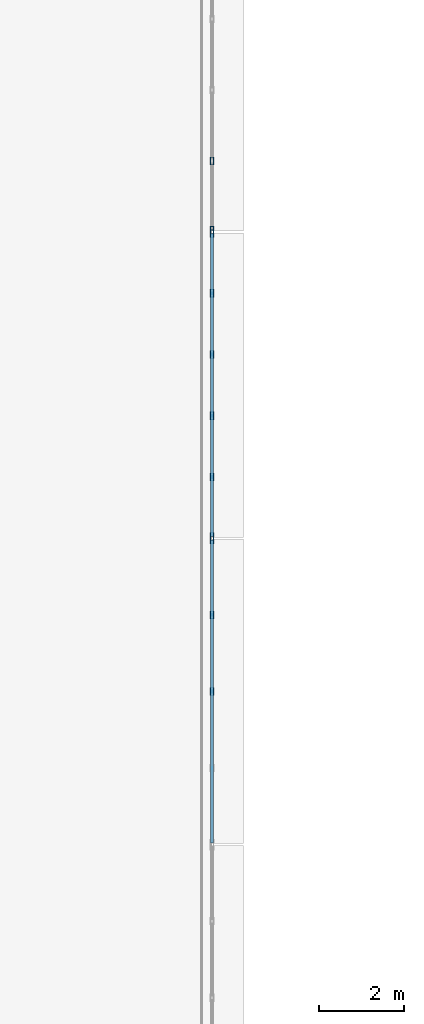
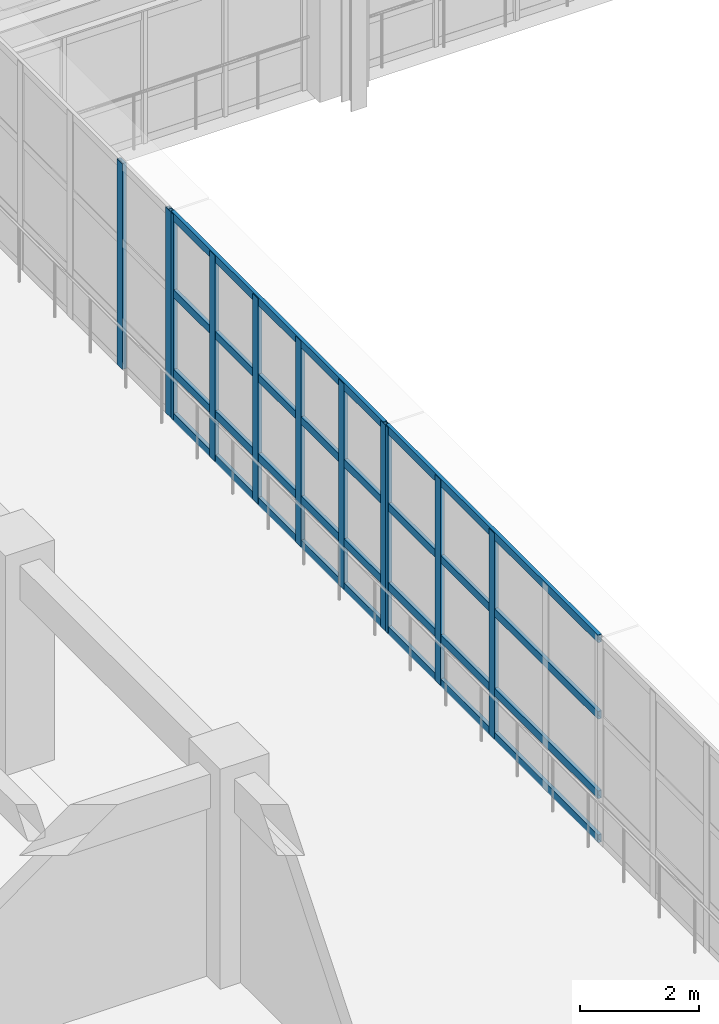
# One storey, part 43 of 171: 19 members, 3 elements without a shape of their own.
"""IFC4 building model written with IfcOpenShell, lengths in metres."""

from ifc_helpers import new_model, si_unit, direction, frame, origin, origin_2d, place, context, subcontext, project, spatial, hollow_rectangle, extrude, material, material_profile, profile_set, type_object, element, aggregate, save


model = new_model("IFC4")

# Units and contexts
model_context = context("Model", 3, precision=1e-05, world=origin(), true_north=direction((0.0, 1.0)))
body_context = subcontext(model_context, "Body", "Model", "MODEL_VIEW")
ifc_project = project(units=[si_unit("LENGTHUNIT", "METRE"), si_unit("AREAUNIT", "SQUARE_METRE"), si_unit("VOLUMEUNIT", "CUBIC_METRE"), si_unit("PLANEANGLEUNIT", "RADIAN"), si_unit("MASSUNIT", "GRAM", prefix="KILO")], contexts=[model_context])

# Site, building, storey
site_placement = place(None, origin())
site = spatial("IfcSite", under=ifc_project, at=site_placement, CompositionType="ELEMENT")
building_placement = place(site_placement, origin())
building = spatial("IfcBuilding", under=site, at=building_placement, Name="Thalmaran Polytechnic", CompositionType="ELEMENT")
storey_placement = place(building_placement, frame((0.0, 0.0, 5.39990234375)))
storey = spatial("IfcBuildingStorey", under=building, at=storey_placement, Name="L01", CompositionType="ELEMENT", Elevation=5.39990234375)

# Curtain wall, members
ifc_material = material(Name="Aluminium 6063-T6", Category="aluminium")
curtain_wall_type = type_object("IfcCurtainWallType", Name="CW-UC02", PredefinedType="USERDEFINED", material=ifc_material)
curtain_wall_1_placement = place(storey_placement, origin())
curtain_wall_1 = element("IfcCurtainWall", 1, at=curtain_wall_1_placement, inside=storey, type_object=curtain_wall_type, Name="Curtain Wall CW-L01-105", ObjectType="UNITISED CURTAIN WALL", PredefinedType="USERDEFINED")
ifc_material_profile_1 = material_profile(ifc_material, hollow_rectangle(XDim=0.080078125, YDim=0.179931640625, WallThickness=0.0048828125, at=origin_2d()), Name="RHS 180x80x5.0")
ifc_profile_set_1 = profile_set([ifc_material_profile_1], Name="Aluminium 6063-T6")
member_type_1 = type_object("IfcMemberType", Name="CW-MUL1", PredefinedType="MULLION", material=ifc_profile_set_1)
member_1_placement = place(storey_placement, frame((115.199951171875, 44.86865234375, 0.0), z_axis=(0.0, 0.0, 1.0), x_axis=(1.0, 0.0, 0.0)))
member_1 = element("IfcMember", 2, at=member_1_placement, type_object=member_type_1, Name="CW-L01-105 Mullion 4", PredefinedType="MULLION", context=body_context, shape_type="SweptSolid", body=[
    extrude(hollow_rectangle(XDim=0.080078125, YDim=0.179931640625, WallThickness=0.0048828125, at=origin_2d()), origin(), (0.0, 0.0, 1.0), 4.210205078125),
])
member_2_placement = place(storey_placement, frame((115.199951171875, 43.239990234375, 0.0), z_axis=(0.0, 0.0, 1.0), x_axis=(1.0, 0.0, 0.0)))
member_2 = element("IfcMember", 3, at=member_2_placement, type_object=member_type_1, Name="CW-L01-105 Mullion 5", PredefinedType="MULLION", context=body_context, shape_type="SweptSolid", body=[
    extrude(hollow_rectangle(XDim=0.080078125, YDim=0.179931640625, WallThickness=0.0048828125, at=origin_2d()), origin(), (0.0, 0.0, 1.0), 4.210205078125),
])
aggregate(curtain_wall_1, [member_1, member_2])

curtain_wall_2_placement = place(storey_placement, origin())
curtain_wall_2 = element("IfcCurtainWall", 4, at=curtain_wall_2_placement, inside=storey, type_object=curtain_wall_type, Name="Curtain Wall CW-L01-106", ObjectType="UNITISED CURTAIN WALL", PredefinedType="USERDEFINED")
member_3_placement = place(storey_placement, frame((115.199951171875, 43.159912109375, 0.0), z_axis=(0.0, 0.0, 1.0), x_axis=(1.0, 0.0, 0.0)))
member_3 = element("IfcMember", 5, at=member_3_placement, type_object=member_type_1, Name="CW-L01-106 Mullion 1", PredefinedType="MULLION", context=body_context, shape_type="SweptSolid", body=[
    extrude(hollow_rectangle(XDim=0.080078125, YDim=0.179931640625, WallThickness=0.0048828125, at=origin_2d()), origin(), (0.0, 0.0, 1.0), 4.210205078125),
])
member_4_placement = place(storey_placement, frame((115.199951171875, 41.760009765625, 0.0), z_axis=(0.0, 0.0, 1.0), x_axis=(1.0, 0.0, 0.0)))
member_4 = element("IfcMember", 6, at=member_4_placement, type_object=member_type_1, Name="CW-L01-106 Mullion 2", PredefinedType="MULLION", context=body_context, shape_type="SweptSolid", body=[
    extrude(hollow_rectangle(XDim=0.080078125, YDim=0.179931640625, WallThickness=0.0048828125, at=origin_2d()), origin(), (0.0, 0.0, 1.0), 4.210205078125),
])
member_5_placement = place(storey_placement, frame((115.199951171875, 40.320068359375, 0.0), z_axis=(0.0, 0.0, 1.0), x_axis=(1.0, 0.0, 0.0)))
member_5 = element("IfcMember", 7, at=member_5_placement, type_object=member_type_1, Name="CW-L01-106 Mullion 3", PredefinedType="MULLION", context=body_context, shape_type="SweptSolid", body=[
    extrude(hollow_rectangle(XDim=0.080078125, YDim=0.179931640625, WallThickness=0.0048828125, at=origin_2d()), origin(), (0.0, 0.0, 1.0), 4.210205078125),
])
member_6_placement = place(storey_placement, frame((115.199951171875, 38.8798828125, 0.0), z_axis=(0.0, 0.0, 1.0), x_axis=(1.0, 0.0, 0.0)))
member_6 = element("IfcMember", 8, at=member_6_placement, type_object=member_type_1, Name="CW-L01-106 Mullion 4", PredefinedType="MULLION", context=body_context, shape_type="SweptSolid", body=[
    extrude(hollow_rectangle(XDim=0.080078125, YDim=0.179931640625, WallThickness=0.0048828125, at=origin_2d()), origin(), (0.0, 0.0, 1.0), 4.210205078125),
])
member_7_placement = place(storey_placement, frame((115.199951171875, 37.43994140625, 0.0), z_axis=(0.0, 0.0, 1.0), x_axis=(1.0, 0.0, 0.0)))
member_7 = element("IfcMember", 9, at=member_7_placement, type_object=member_type_1, Name="CW-L01-106 Mullion 5", PredefinedType="MULLION", context=body_context, shape_type="SweptSolid", body=[
    extrude(hollow_rectangle(XDim=0.080078125, YDim=0.179931640625, WallThickness=0.0048828125, at=origin_2d()), origin(), (0.0, 0.0, 1.0), 4.210205078125),
])
member_8_placement = place(storey_placement, frame((115.199951171875, 36.0400390625, 0.0), z_axis=(0.0, 0.0, 1.0), x_axis=(1.0, 0.0, 0.0)))
member_8 = element("IfcMember", 10, at=member_8_placement, type_object=member_type_1, Name="CW-L01-106 Mullion 6", PredefinedType="MULLION", context=body_context, shape_type="SweptSolid", body=[
    extrude(hollow_rectangle(XDim=0.080078125, YDim=0.179931640625, WallThickness=0.0048828125, at=origin_2d()), origin(), (0.0, 0.0, 1.0), 4.210205078125),
])

curtain_wall_3_placement = place(storey_placement, origin())
curtain_wall_3 = element("IfcCurtainWall", 11, at=curtain_wall_3_placement, inside=storey, type_object=curtain_wall_type, Name="Curtain Wall CW-L01-107", ObjectType="UNITISED CURTAIN WALL", PredefinedType="USERDEFINED")
member_9_placement = place(storey_placement, frame((115.199951171875, 35.9599609375, 0.0), z_axis=(0.0, 0.0, 1.0), x_axis=(1.0, 0.0, 0.0)))
member_9 = element("IfcMember", 12, at=member_9_placement, type_object=member_type_1, Name="CW-L01-107 Mullion 1", PredefinedType="MULLION", context=body_context, shape_type="SweptSolid", body=[
    extrude(hollow_rectangle(XDim=0.080078125, YDim=0.179931640625, WallThickness=0.0048828125, at=origin_2d()), origin(), (0.0, 0.0, 1.0), 4.210205078125),
])
member_10_placement = place(storey_placement, frame((115.199951171875, 34.199951171875, 0.0), z_axis=(0.0, 0.0, 1.0), x_axis=(1.0, 0.0, 0.0)))
member_10 = element("IfcMember", 13, at=member_10_placement, type_object=member_type_1, Name="CW-L01-107 Mullion 2", PredefinedType="MULLION", context=body_context, shape_type="SweptSolid", body=[
    extrude(hollow_rectangle(XDim=0.080078125, YDim=0.179931640625, WallThickness=0.0048828125, at=origin_2d()), origin(), (0.0, 0.0, 1.0), 4.210205078125),
])
member_11_placement = place(storey_placement, frame((115.199951171875, 32.39990234375, 0.0), z_axis=(0.0, 0.0, 1.0), x_axis=(1.0, 0.0, 0.0)))
member_11 = element("IfcMember", 14, at=member_11_placement, type_object=member_type_1, Name="CW-L01-107 Mullion 3", PredefinedType="MULLION", context=body_context, shape_type="SweptSolid", body=[
    extrude(hollow_rectangle(XDim=0.080078125, YDim=0.179931640625, WallThickness=0.0048828125, at=origin_2d()), origin(), (0.0, 0.0, 1.0), 4.210205078125),
])

# Member
ifc_material_profile_2 = material_profile(ifc_material, hollow_rectangle(XDim=0.070068359375, YDim=0.159912109375, WallThickness=0.00390625, at=origin_2d()), Name="AL 160x70x4.0")
ifc_profile_set_2 = profile_set([ifc_material_profile_2], Name="Aluminium 6063-T6")
member_type_2 = type_object("IfcMemberType", Name="CW-TRN1", PredefinedType="USERDEFINED", material=ifc_profile_set_2)
member_12_placement = place(storey_placement, frame((115.199951171875, 43.159912109375, 0.06005859375), z_axis=(0.0, -1.0, 0.0), x_axis=(1.0, 0.0, 0.0)))
member_12 = element("IfcMember", 15, at=member_12_placement, type_object=member_type_2, Name="CW-L01-106 Transom 1", ObjectType="TRANSOM", PredefinedType="USERDEFINED", context=body_context, shape_type="SweptSolid", body=[
    extrude(hollow_rectangle(XDim=0.070068359375, YDim=0.159912109375, WallThickness=0.00390625, at=origin_2d()), origin(), (0.0, 0.0, 1.0), 7.119873046875),
])

member_13_placement = place(storey_placement, frame((115.199951171875, 43.159912109375, 0.960205078125), z_axis=(0.0, -1.0, 0.0), x_axis=(1.0, 0.0, 0.0)))
member_13 = element("IfcMember", 16, at=member_13_placement, type_object=member_type_2, Name="CW-L01-106 Transom 2", ObjectType="TRANSOM", PredefinedType="USERDEFINED", context=body_context, shape_type="SweptSolid", body=[
    extrude(hollow_rectangle(XDim=0.070068359375, YDim=0.159912109375, WallThickness=0.00390625, at=origin_2d()), origin(), (0.0, 0.0, 1.0), 7.119873046875),
])

member_14_placement = place(storey_placement, frame((115.199951171875, 43.159912109375, 2.585205078125), z_axis=(0.0, -1.0, 0.0), x_axis=(1.0, 0.0, 0.0)))
member_14 = element("IfcMember", 17, at=member_14_placement, type_object=member_type_2, Name="CW-L01-106 Transom 3", ObjectType="TRANSOM", PredefinedType="USERDEFINED", context=body_context, shape_type="SweptSolid", body=[
    extrude(hollow_rectangle(XDim=0.070068359375, YDim=0.159912109375, WallThickness=0.00390625, at=origin_2d()), origin(), (0.0, 0.0, 1.0), 7.119873046875),
])

member_15_placement = place(storey_placement, frame((115.199951171875, 43.159912109375, 4.150146484375), z_axis=(0.0, -1.0, 0.0), x_axis=(1.0, 0.0, 0.0)))
member_15 = element("IfcMember", 18, at=member_15_placement, type_object=member_type_2, Name="CW-L01-106 Transom 4", ObjectType="TRANSOM", PredefinedType="USERDEFINED", context=body_context, shape_type="SweptSolid", body=[
    extrude(hollow_rectangle(XDim=0.070068359375, YDim=0.159912109375, WallThickness=0.00390625, at=origin_2d()), origin(), (0.0, 0.0, 1.0), 7.119873046875),
])

aggregate(curtain_wall_2, [member_3, member_4, member_5, member_6, member_7, member_8, member_12, member_13, member_14, member_15])

member_16_placement = place(storey_placement, frame((115.199951171875, 35.9599609375, 0.06005859375), z_axis=(0.0, -1.0, 0.0), x_axis=(1.0, 0.0, 0.0)))
member_16 = element("IfcMember", 19, at=member_16_placement, type_object=member_type_2, Name="CW-L01-107 Transom 1", ObjectType="TRANSOM", PredefinedType="USERDEFINED", context=body_context, shape_type="SweptSolid", body=[
    extrude(hollow_rectangle(XDim=0.070068359375, YDim=0.159912109375, WallThickness=0.00390625, at=origin_2d()), origin(), (0.0, 0.0, 1.0), 7.119873046875),
])

member_17_placement = place(storey_placement, frame((115.199951171875, 35.9599609375, 0.960205078125), z_axis=(0.0, -1.0, 0.0), x_axis=(1.0, 0.0, 0.0)))
member_17 = element("IfcMember", 20, at=member_17_placement, type_object=member_type_2, Name="CW-L01-107 Transom 2", ObjectType="TRANSOM", PredefinedType="USERDEFINED", context=body_context, shape_type="SweptSolid", body=[
    extrude(hollow_rectangle(XDim=0.070068359375, YDim=0.159912109375, WallThickness=0.00390625, at=origin_2d()), origin(), (0.0, 0.0, 1.0), 7.119873046875),
])

member_18_placement = place(storey_placement, frame((115.199951171875, 35.9599609375, 2.585205078125), z_axis=(0.0, -1.0, 0.0), x_axis=(1.0, 0.0, 0.0)))
member_18 = element("IfcMember", 21, at=member_18_placement, type_object=member_type_2, Name="CW-L01-107 Transom 3", ObjectType="TRANSOM", PredefinedType="USERDEFINED", context=body_context, shape_type="SweptSolid", body=[
    extrude(hollow_rectangle(XDim=0.070068359375, YDim=0.159912109375, WallThickness=0.00390625, at=origin_2d()), origin(), (0.0, 0.0, 1.0), 7.119873046875),
])

member_19_placement = place(storey_placement, frame((115.199951171875, 35.9599609375, 4.150146484375), z_axis=(0.0, -1.0, 0.0), x_axis=(1.0, 0.0, 0.0)))
member_19 = element("IfcMember", 22, at=member_19_placement, type_object=member_type_2, Name="CW-L01-107 Transom 4", ObjectType="TRANSOM", PredefinedType="USERDEFINED", context=body_context, shape_type="SweptSolid", body=[
    extrude(hollow_rectangle(XDim=0.070068359375, YDim=0.159912109375, WallThickness=0.00390625, at=origin_2d()), origin(), (0.0, 0.0, 1.0), 7.119873046875),
])

aggregate(curtain_wall_3, [member_9, member_10, member_11, member_16, member_17, member_18, member_19])

save(model, "model.ifc")
